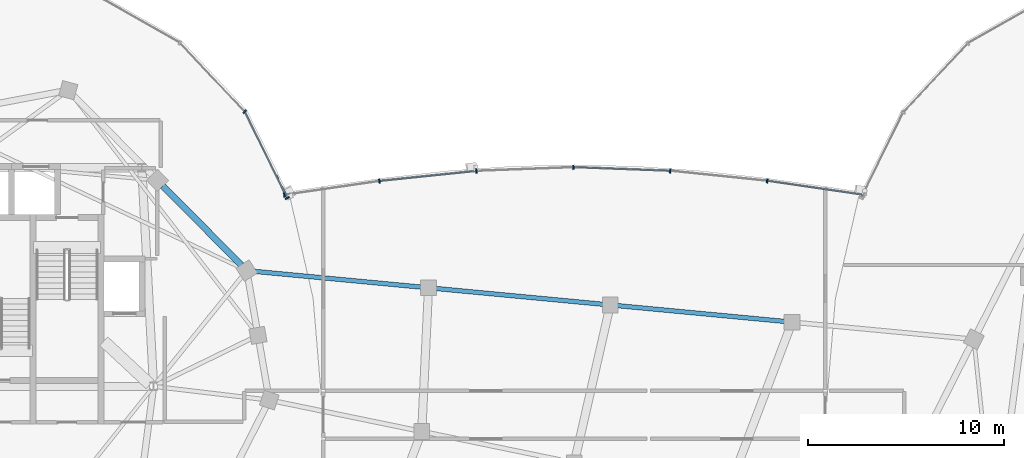
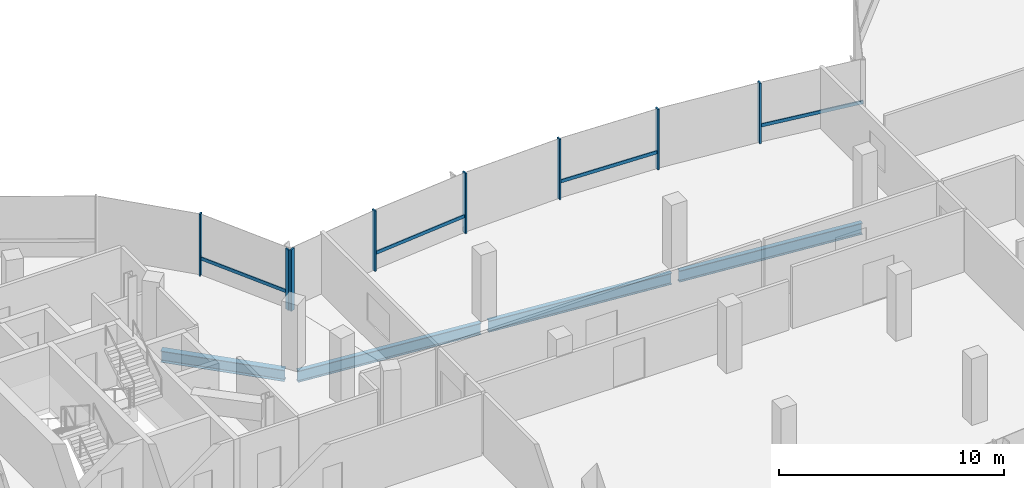
# One storey, part 7 of 25: 12 members, 4 beams, 2 elements without a shape of their own.
"""IFC4 building model written with IfcOpenShell, lengths in metres."""

from ifc_helpers import new_model, si_unit, direction, frame, origin, origin_2d, place, context, subcontext, project, spatial, rectangle, i_section, extrude, material, material_profile, profile_set, type_object, element, aggregate, save


model = new_model("IFC4")

# Units and contexts
model_context = context("Model", 3, precision=1e-05, world=origin(), true_north=direction((0.0, 1.0)))
body_context = subcontext(model_context, "Body", "Model", "MODEL_VIEW")
ifc_project = project(units=[si_unit("LENGTHUNIT", "METRE"), si_unit("AREAUNIT", "SQUARE_METRE"), si_unit("VOLUMEUNIT", "CUBIC_METRE"), si_unit("PLANEANGLEUNIT", "RADIAN"), si_unit("MASSUNIT", "GRAM", prefix="KILO"), si_unit("THERMODYNAMICTEMPERATUREUNIT", "KELVIN"), si_unit("POWERUNIT", "WATT")], contexts=[model_context])

# Site, building, storey
site_placement = place(None, origin())
site = spatial("IfcSite", under=ifc_project, at=site_placement, CompositionType="ELEMENT")
building_placement = place(site_placement, origin())
building = spatial("IfcBuilding", under=site, at=building_placement, Name="Cundina Bronze Exchange", CompositionType="ELEMENT")
storey_placement = place(building_placement, frame((0.0, 0.0, 257.60009765625)))
storey = spatial("IfcBuildingStorey", under=building, at=storey_placement, Name="L68", CompositionType="ELEMENT", Elevation=257.60009765625)

# Beams
ifc_material_1 = material(Name="Steel ASTM A992 Grade 50", Category="steel")
ifc_material_profile_1 = material_profile(ifc_material_1, i_section(OverallWidth=0.22998046875, OverallDepth=0.616943359375, WebThickness=0.01318359375, FlangeThickness=0.022216796875, FilletRadius=0.013916015625, at=origin_2d()), Name="W24X94", Category="steel")
ifc_profile_set_1 = profile_set([ifc_material_profile_1], Name="Steel ASTM A992 Grade 50")
beam_type_1 = type_object("IfcBeamType", Name="BM-FLR-W24B", PredefinedType="BEAM", material=ifc_profile_set_1)
beam_1_placement = place(storey_placement, frame((-16.520751953125, 9.783203125, -0.628662109375), z_axis=(0.995572136276, -0.094000646124, 0.0), x_axis=(0.094000646124, 0.995572136276, 0.0)))
element("IfcBeam", 1, at=beam_1_placement, inside=storey, type_object=beam_type_1, Name="L68 Sky-Gate Longitudinal Girder Y3-P1", PredefinedType="BEAM", context=body_context, shape_type="SweptSolid", body=[
    extrude(i_section(OverallWidth=0.22998046875, OverallDepth=0.616943359375, WebThickness=0.01318359375, FlangeThickness=0.022216796875, FilletRadius=0.013916015625, at=origin_2d()), origin(), (0.0, 0.0, 1.0), 8.949951171875),
])
beam_2_placement = place(storey_placement, frame((-7.251953125, 8.908203125, -0.628662109375), z_axis=(0.995571895232, -0.094003199007, 0.0), x_axis=(0.094003199007, 0.995571895232, 0.0)))
element("IfcBeam", 2, at=beam_2_placement, inside=storey, type_object=beam_type_1, Name="L68 Sky-Gate Longitudinal Girder Y3-P2", PredefinedType="BEAM", context=body_context, shape_type="SweptSolid", body=[
    extrude(i_section(OverallWidth=0.22998046875, OverallDepth=0.616943359375, WebThickness=0.01318359375, FlangeThickness=0.022216796875, FilletRadius=0.013916015625, at=origin_2d()), origin(), (0.0, 0.0, 1.0), 8.94970703125),
])
beam_3_placement = place(storey_placement, frame((2.0166015625, 8.033203125, -0.628662109375), z_axis=(0.995572136276, -0.094000646124, 0.0), x_axis=(0.094000646124, 0.995572136276, 0.0)))
element("IfcBeam", 3, at=beam_3_placement, inside=storey, type_object=beam_type_1, Name="L68 Sky-Gate Longitudinal Girder Y3-P3", PredefinedType="BEAM", context=body_context, shape_type="SweptSolid", body=[
    extrude(i_section(OverallWidth=0.22998046875, OverallDepth=0.616943359375, WebThickness=0.01318359375, FlangeThickness=0.022216796875, FilletRadius=0.013916015625, at=origin_2d()), origin(), (0.0, 0.0, 1.0), 8.949951171875),
])
ifc_material_profile_2 = material_profile(ifc_material_1, i_section(OverallWidth=0.324951171875, OverallDepth=0.615966796875, WebThickness=0.013916015625, FlangeThickness=0.021484375, FilletRadius=0.01611328125, at=origin_2d()), Name="W24X117", Category="steel")
ifc_profile_set_2 = profile_set([ifc_material_profile_2], Name="Steel ASTM A992 Grade 50")
beam_type_2 = type_object("IfcBeamType", Name="BM-RING-W24", PredefinedType="USERDEFINED", material=ifc_profile_set_2)
beam_4_placement = place(storey_placement, frame((-16.972900390625, 10.075927734375, -0.568115234375), z_axis=(-0.703237257446, 0.710955244541, 0.0), x_axis=(-0.710955244541, -0.703237257446, 0.0)))
element("IfcBeam", 4, at=beam_4_placement, inside=storey, type_object=beam_type_2, Name="L68 W Perimeter Ring Girder 02", ObjectType="GIRDER", PredefinedType="USERDEFINED", context=body_context, shape_type="SweptSolid", body=[
    extrude(i_section(OverallWidth=0.324951171875, OverallDepth=0.615966796875, WebThickness=0.013916015625, FlangeThickness=0.021484375, FilletRadius=0.01611328125, at=origin_2d()), origin(), (0.0, 0.0, 1.0), 5.69384765625),
])

# Curtain wall, members
ifc_material_2 = material(Name="Anodised Bronze Aluminium 6063-T6", Category="aluminium")
curtain_wall_type = type_object("IfcCurtainWallType", Name="CWS-SKG-BRG", PredefinedType="NOTDEFINED", material=ifc_material_2)
curtain_wall_1_placement = place(storey_placement, origin())
curtain_wall_1 = element("IfcCurtainWall", 5, at=curtain_wall_1_placement, inside=storey, type_object=curtain_wall_type, Name="L68 CW-06 Curtain Wall Run CWR-L68-W1", PredefinedType="NOTDEFINED")
ifc_material_profile_3 = material_profile(ifc_material_2, rectangle(XDim=0.074951171875, YDim=0.219970703125, at=origin_2d()), Name="AL75X220", Category="aluminium")
ifc_profile_set_3 = profile_set([ifc_material_profile_3], Name="Anodised Bronze Aluminium 6063-T6")
member_type_1 = type_object("IfcMemberType", Name="CWM-MUL-220", PredefinedType="MULLION", material=ifc_profile_set_3)
member_1_placement = place(storey_placement, frame((-14.630859375, 13.50390625, 0.0), z_axis=(0.0, 0.0, 1.0), x_axis=(-0.440566004113, 0.897720221461, 0.0)))
member_1 = element("IfcMember", 6, at=member_1_placement, type_object=member_type_1, Name="CW-06 Mullion 1", PredefinedType="MULLION", context=body_context, shape_type="SweptSolid", body=[
    extrude(rectangle(XDim=0.074951171875, YDim=0.219970703125, at=origin_2d()), origin(), (0.0, 0.0, 1.0), 3.33984375),
])
member_2_placement = place(storey_placement, frame((-16.8037109375, 17.910400390625, 0.0), z_axis=(0.0, 0.0, 1.0), x_axis=(-0.684292606175, 0.729207535023, 0.0)))
member_2 = element("IfcMember", 7, at=member_2_placement, type_object=member_type_1, Name="CW-06 Mullion 2", PredefinedType="MULLION", context=body_context, shape_type="SweptSolid", body=[
    extrude(rectangle(XDim=0.074951171875, YDim=0.219970703125, at=origin_2d()), origin(), (0.0, 0.0, 1.0), 3.33984375),
])

curtain_wall_2_placement = place(storey_placement, origin())
curtain_wall_2 = element("IfcCurtainWall", 8, at=curtain_wall_2_placement, inside=storey, type_object=curtain_wall_type, Name="L68 CW-06 Curtain Wall Run CWR-L68-BRGN", PredefinedType="NOTDEFINED")
member_3_placement = place(storey_placement, frame((9.83447265625, 14.378173828125, 0.0), z_axis=(0.0, 0.0, 1.0), x_axis=(-0.994666875153, 0.103139747302, 0.0)))
member_3 = element("IfcMember", 9, at=member_3_placement, type_object=member_type_1, Name="CW-06 Mullion 2", PredefinedType="MULLION", context=body_context, shape_type="SweptSolid", body=[
    extrude(rectangle(XDim=0.074951171875, YDim=0.219970703125, at=origin_2d()), origin(), (0.0, 0.0, 1.0), 3.27978515625),
])
member_4_placement = place(storey_placement, frame((4.892578125, 14.88720703125, 0.0), z_axis=(0.0, 0.0, 1.0), x_axis=(-0.999302568116, 0.037341362551, 0.0)))
member_4 = element("IfcMember", 10, at=member_4_placement, type_object=member_type_1, Name="CW-06 Mullion 3", PredefinedType="MULLION", context=body_context, shape_type="SweptSolid", body=[
    extrude(rectangle(XDim=0.074951171875, YDim=0.219970703125, at=origin_2d()), origin(), (0.0, 0.0, 1.0), 3.27978515625),
])
member_5_placement = place(storey_placement, frame((-0.047607421875, 15.068115234375, 0.0), z_axis=(0.0, 0.0, 1.0), x_axis=(-0.999302568116, -0.037341362551, 0.0)))
member_5 = element("IfcMember", 11, at=member_5_placement, type_object=member_type_1, Name="CW-06 Mullion 4", PredefinedType="MULLION", context=body_context, shape_type="SweptSolid", body=[
    extrude(rectangle(XDim=0.074951171875, YDim=0.219970703125, at=origin_2d()), origin(), (0.0, 0.0, 1.0), 3.27978515625),
])
member_6_placement = place(storey_placement, frame((-4.98876953125, 14.88037109375, 0.0), z_axis=(0.0, 0.0, 1.0), x_axis=(-0.994666875153, -0.103139747302, 0.0)))
member_6 = element("IfcMember", 12, at=member_6_placement, type_object=member_type_1, Name="CW-06 Mullion 5", PredefinedType="MULLION", context=body_context, shape_type="SweptSolid", body=[
    extrude(rectangle(XDim=0.074951171875, YDim=0.219970703125, at=origin_2d()), origin(), (0.0, 0.0, 1.0), 3.27978515625),
])
member_7_placement = place(storey_placement, frame((-9.93310546875, 14.36572265625, 0.0), z_axis=(0.0, 0.0, 1.0), x_axis=(-0.989525789069, -0.144356201001, 0.0)))
member_7 = element("IfcMember", 13, at=member_7_placement, type_object=member_type_1, Name="CW-06 Mullion 6", PredefinedType="MULLION", context=body_context, shape_type="SweptSolid", body=[
    extrude(rectangle(XDim=0.074951171875, YDim=0.219970703125, at=origin_2d()), origin(), (0.0, 0.0, 1.0), 3.27978515625),
])
member_8_placement = place(storey_placement, frame((-14.779296875, 13.658935546875, 0.0), z_axis=(0.0, 0.0, 1.0), x_axis=(-0.989525789069, -0.144356201001, 0.0)))
member_8 = element("IfcMember", 14, at=member_8_placement, type_object=member_type_1, Name="CW-06 End Mullion", PredefinedType="MULLION", context=body_context, shape_type="SweptSolid", body=[
    extrude(rectangle(XDim=0.074951171875, YDim=0.219970703125, at=origin_2d()), origin(), (0.0, 0.0, 1.0), 3.27978515625),
])

# Member
ifc_material_profile_4 = material_profile(ifc_material_2, rectangle(XDim=0.070068359375, YDim=0.179931640625, at=origin_2d()), Name="AL70X180", Category="aluminium")
ifc_profile_set_4 = profile_set([ifc_material_profile_4], Name="Anodised Bronze Aluminium 6063-T6")
member_type_2 = type_object("IfcMemberType", Name="CWM-TRN-180", PredefinedType="USERDEFINED", material=ifc_profile_set_4)
member_9_placement = place(storey_placement, frame((-14.64892578125, 13.541015625, 0.919921875), z_axis=(-0.440554408939, 0.897725911826, 0.0), x_axis=(-0.897725911826, -0.440554408939, 0.0)))
member_9 = element("IfcMember", 15, at=member_9_placement, type_object=member_type_2, Name="CW-06 Spandrel Transom 1", ObjectType="TRANSOM", PredefinedType="USERDEFINED", context=body_context, shape_type="SweptSolid", body=[
    extrude(rectangle(XDim=0.070068359375, YDim=0.179931640625, at=origin_2d()), origin(), (0.0, 0.0, 1.0), 4.848388671875),
])

aggregate(curtain_wall_1, [member_1, member_9, member_2])

member_10_placement = place(storey_placement, frame((14.738525390625, 13.664794921875, 0.918212890625), z_axis=(-0.989531497997, 0.144317062302, 0.0), x_axis=(-0.144317062302, -0.989531497997, 0.0)))
member_10 = element("IfcMember", 16, at=member_10_placement, type_object=member_type_2, Name="CW-06 Spandrel Transom 1", ObjectType="TRANSOM", PredefinedType="USERDEFINED", context=body_context, shape_type="SweptSolid", body=[
    extrude(rectangle(XDim=0.070068359375, YDim=0.179931640625, at=origin_2d()), origin(), (0.0, 0.0, 1.0), 4.8974609375),
])

member_11_placement = place(storey_placement, frame((4.8515625, 14.888671875, 0.918212890625), z_axis=(-0.999303683555, 0.037311500026, 0.0), x_axis=(-0.037311500026, -0.999303683555, 0.0)))
member_11 = element("IfcMember", 17, at=member_11_placement, type_object=member_type_2, Name="CW-06 Spandrel Transom 3", ObjectType="TRANSOM", PredefinedType="USERDEFINED", context=body_context, shape_type="SweptSolid", body=[
    extrude(rectangle(XDim=0.070068359375, YDim=0.179931640625, at=origin_2d()), origin(), (0.0, 0.0, 1.0), 4.8486328125),
])

member_12_placement = place(storey_placement, frame((-5.02978515625, 14.8759765625, 0.918212890625), z_axis=(-0.994672497027, -0.103085516243, 0.0), x_axis=(0.103085516243, -0.994672497027, 0.0)))
member_12 = element("IfcMember", 18, at=member_12_placement, type_object=member_type_2, Name="CW-06 Spandrel Transom 5", ObjectType="TRANSOM", PredefinedType="USERDEFINED", context=body_context, shape_type="SweptSolid", body=[
    extrude(rectangle(XDim=0.070068359375, YDim=0.179931640625, at=origin_2d()), origin(), (0.0, 0.0, 1.0), 4.87158203125),
])

aggregate(curtain_wall_2, [member_10, member_3, member_4, member_11, member_5, member_6, member_12, member_7, member_8])

save(model, "model.ifc")
